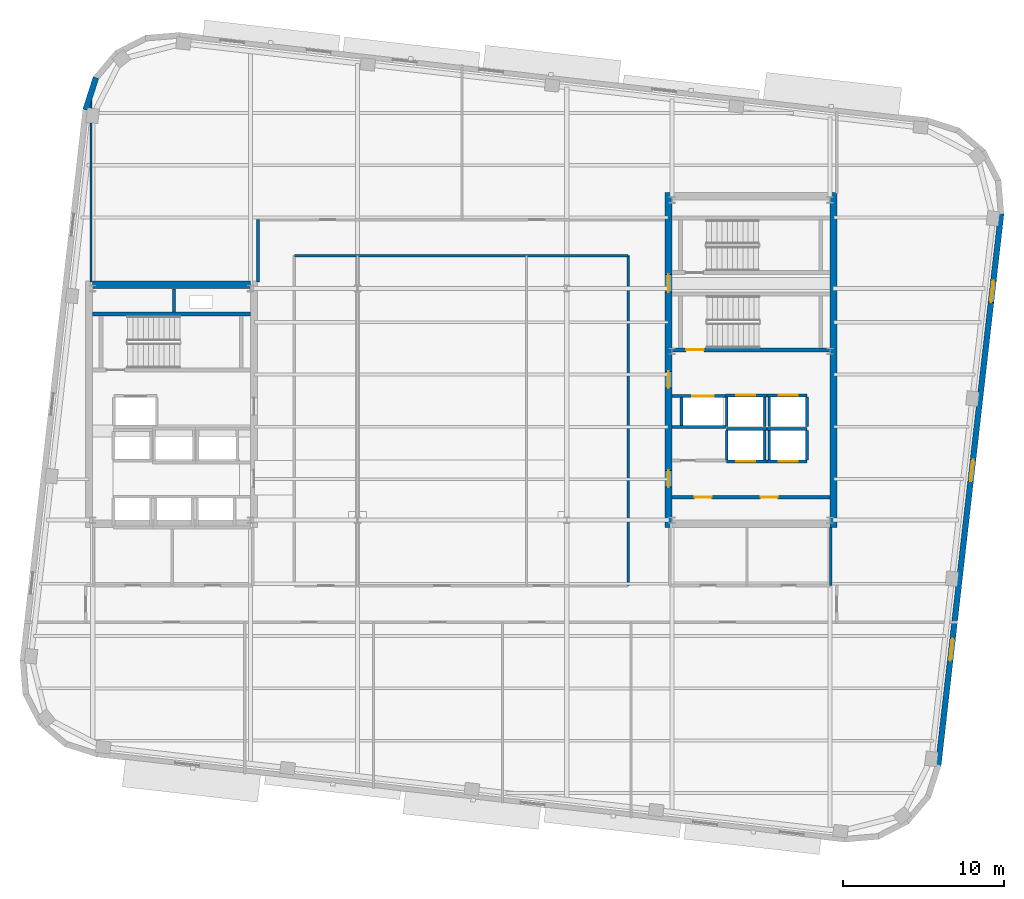
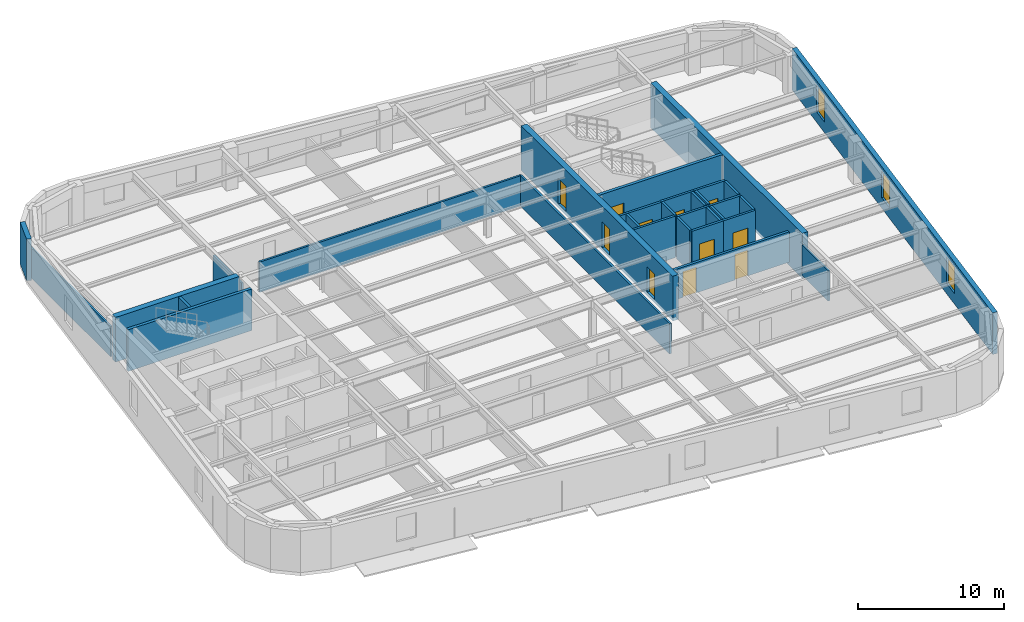
# One storey, part 7 of 12: 31 walls, 11 doors, 3 windows, 14 openings.
"""IFC4 building model written with IfcOpenShell, lengths in metres."""

from ifc_helpers import new_model, si_unit, direction, frame, frame_2d, origin, place, context, subcontext, project, spatial, rectangle, extrude, material, layer, layer_set, type_object, element, fill, save


model = new_model("IFC4")

# Units and contexts
model_context = context("Model", 3, precision=1e-05, world=origin(), true_north=direction((0.0, 1.0)))
body_context = subcontext(model_context, "Body", "Model", "MODEL_VIEW")
ifc_project = project(units=[si_unit("LENGTHUNIT", "METRE"), si_unit("AREAUNIT", "SQUARE_METRE"), si_unit("VOLUMEUNIT", "CUBIC_METRE"), si_unit("PLANEANGLEUNIT", "RADIAN"), si_unit("MASSUNIT", "GRAM", prefix="KILO")], contexts=[model_context])

# Site, building, storey
site_placement = place(None, origin())
site = spatial("IfcSite", under=ifc_project, at=site_placement, CompositionType="ELEMENT")
building_placement = place(site_placement, origin())
building = spatial("IfcBuilding", under=site, at=building_placement, Name="Kolvaren Arena Tower", CompositionType="ELEMENT")
storey_placement = place(building_placement, frame((0.0, 0.0, 220.949951171875)))
storey = spatial("IfcBuildingStorey", under=building, at=storey_placement, Name="L53", CompositionType="ELEMENT", Elevation=220.949951171875)

# Walls
ifc_material_1 = material(Name="Gypsum board acoustic assembly", Category="gypsum")
ifc_layer_1 = layer(ifc_material_1, 0.159912109375)
ifc_layer_set_1 = layer_set([ifc_layer_1], Name="Gypsum board acoustic assembly")
wall_type_1 = type_object("IfcWallType", Name="CORR-160", PredefinedType="PARTITIONING", material=ifc_layer_set_1)
wall_1_placement = place(storey_placement, frame((24.820068359375, 34.25, 0.0), z_axis=(0.0, 0.0, 1.0), x_axis=(0.0, 1.0, 0.0)))
element("IfcWall", 1, at=wall_1_placement, inside=storey, type_object=wall_type_1, Name="Interior Partition Wall (L53)", PredefinedType="PARTITIONING", context=body_context, shape_type="SweptSolid", body=[
    extrude(rectangle(XDim=3.8701171875, YDim=0.159912109375, at=frame_2d((1.93505859375, 0.0))), origin(), (0.0, 0.0, 1.0), 2.5400390625),
])
wall_2_placement = place(storey_placement, frame((27.080078125, 35.8798828125, 0.0), z_axis=(0.0, 0.0, 1.0), x_axis=(1.0, 0.0, 0.0)))
element("IfcWall", 2, at=wall_2_placement, inside=storey, type_object=wall_type_1, Name="Interior Partition Wall (L53)", PredefinedType="PARTITIONING", context=body_context, shape_type="SweptSolid", body=[
    extrude(rectangle(XDim=20.739990234375, YDim=0.159912109375, at=frame_2d((10.3701171875, 0.0))), origin(), (0.0, 0.0, 1.0), 2.5400390625),
])
wall_3_placement = place(storey_placement, frame((47.820068359375, 15.3798828125, 0.0), z_axis=(0.0, 0.0, 1.0), x_axis=(0.0, 1.0, 0.0)))
element("IfcWall", 3, at=wall_3_placement, inside=storey, type_object=wall_type_1, Name="Interior Partition Wall (L53)", PredefinedType="PARTITIONING", context=body_context, shape_type="SweptSolid", body=[
    extrude(rectangle(XDim=20.5, YDim=0.159912109375, at=frame_2d((10.25, 0.0))), origin(), (0.0, 0.0, 1.0), 2.5400390625),
])
ifc_material_2 = material(Name="Concrete 55 MPa", Category="concrete")
ifc_layer_2 = layer(ifc_material_2, 0.449951171875)
ifc_layer_set_2 = layer_set([ifc_layer_2], Name="Concrete 55 MPa")
wall_type_2 = type_object("IfcWallType", Name="CWALL-450", PredefinedType="SHEAR", material=ifc_layer_set_2)
wall_4_placement = place(storey_placement, frame((14.550048828125, 34.074951171875, -0.27001953125), z_axis=(0.0, 0.0, 1.0), x_axis=(1.0, 0.0, 0.0)))
element("IfcWall", 4, at=wall_4_placement, inside=storey, type_object=wall_type_2, Name="Core Shear Wall WC-NORTH (L53)", PredefinedType="SHEAR", context=body_context, shape_type="SweptSolid", body=[
    extrude(rectangle(XDim=9.800048828125, YDim=0.449951171875, at=frame_2d((4.89990234375, 0.0))), origin(), (0.0, 0.0, 1.0), 3.75),
])

# Wall, openings, doors
wall_5_placement = place(storey_placement, frame((50.324951171875, 19.0, -0.27001953125), z_axis=(0.0, 0.0, 1.0), x_axis=(0.0, 1.0, 0.0)))
wall_5 = element("IfcWall", 5, at=wall_5_placement, inside=storey, type_object=wall_type_2, Name="Core Shear Wall EC-WEST (L53)", PredefinedType="SHEAR", context=body_context, shape_type="SweptSolid", body=[
    extrude(rectangle(XDim=20.800048828125, YDim=0.449951171875, at=frame_2d((10.39990234375, 0.0))), origin(), (0.0, 0.0, 1.0), 3.75),
])
opening_1_placement = place(wall_5_placement, frame((2.5, 0.0, 0.27001953125)))
opening_1 = element("IfcOpeningElement", 6, at=opening_1_placement, cuts=wall_5, Name="Opening D04", PredefinedType="OPENING", context=body_context, shape_type="SweptSolid", body=[
    extrude(rectangle(XDim=1.050048828125, YDim=2.14990234375, at=frame_2d((0.52490234375, 1.074951171875))), frame((0.0, 0.23486328125, 0.0), z_axis=(0.0, -1.0, 0.0), x_axis=(1.0, 0.0, 0.0)), (0.0, 0.0, 1.0), 0.469970703125),
])
opening_2_placement = place(wall_5_placement, frame((8.64990234375, 0.0, 0.27001953125)))
opening_2 = element("IfcOpeningElement", 7, at=opening_2_placement, cuts=wall_5, Name="Opening D04", PredefinedType="OPENING", context=body_context, shape_type="SweptSolid", body=[
    extrude(rectangle(XDim=1.050048828125, YDim=2.14990234375, at=frame_2d((0.52490234375, 1.074951171875))), frame((0.0, 0.23486328125, 0.0), z_axis=(0.0, -1.0, 0.0), x_axis=(1.0, 0.0, 0.0)), (0.0, 0.0, 1.0), 0.469970703125),
])
opening_3_placement = place(wall_5_placement, frame((14.6201171875, 0.0, 0.27001953125)))
opening_3 = element("IfcOpeningElement", 8, at=opening_3_placement, cuts=wall_5, Name="Opening D03", PredefinedType="OPENING", context=body_context, shape_type="SweptSolid", body=[
    extrude(rectangle(XDim=1.10009765625, YDim=2.14990234375, at=frame_2d((0.550048828125, 1.074951171875))), frame((0.0, 0.23486328125, 0.0), z_axis=(0.0, -1.0, 0.0), x_axis=(1.0, 0.0, 0.0)), (0.0, 0.0, 1.0), 0.469970703125),
])
ifc_material_3 = material(Name="Fire-rated steel lobby door", Category="steel")
door_type_1 = type_object("IfcDoorType", Name="DOOR-FF-105", OperationType="NOTDEFINED", PredefinedType="DOOR", material=ifc_material_3)
door_1_placement = place(opening_1_placement, origin())
door_1 = element("IfcDoor", 9, at=door_1_placement, inside=storey, type_object=door_type_1, Name="East Lift Lobby Fire Door (L53)", OperationType="SINGLE_SWING_RIGHT", OverallHeight=2.14990234375, OverallWidth=1.050048828125, PredefinedType="DOOR", context=body_context, shape_type="SweptSolid", body=[
    extrude(rectangle(XDim=1.050048828125, YDim=2.14990234375, at=frame_2d((0.52490234375, 1.074951171875))), frame((0.0, 0.02490234375, 0.0), z_axis=(0.0, -1.0, 0.0), x_axis=(1.0, 0.0, 0.0)), (0.0, 0.0, 1.0), 0.050048828125),
])
fill(opening_1, door_1)
door_2_placement = place(opening_2_placement, origin())
door_2 = element("IfcDoor", 10, at=door_2_placement, inside=storey, type_object=door_type_1, Name="East Firefighter Vestibule Door (L53)", OperationType="SINGLE_SWING_LEFT", OverallHeight=2.14990234375, OverallWidth=1.050048828125, PredefinedType="DOOR", context=body_context, shape_type="SweptSolid", body=[
    extrude(rectangle(XDim=1.050048828125, YDim=2.14990234375, at=frame_2d((0.52490234375, 1.074951171875))), frame((0.0, 0.02490234375, 0.0), z_axis=(0.0, -1.0, 0.0), x_axis=(1.0, 0.0, 0.0)), (0.0, 0.0, 1.0), 0.050048828125),
])
fill(opening_2, door_2)
ifc_material_4 = material(Name="Fire-rated steel exit stair door", Category="steel")
door_type_2 = type_object("IfcDoorType", Name="DOOR-ST-110", OperationType="NOTDEFINED", PredefinedType="DOOR", material=ifc_material_4)
door_3_placement = place(opening_3_placement, origin())
door_3 = element("IfcDoor", 11, at=door_3_placement, inside=storey, type_object=door_type_2, Name="Stair ST-E2 Vestibule Fire Door (L53)", OperationType="SINGLE_SWING_LEFT", OverallHeight=2.14990234375, OverallWidth=1.10009765625, PredefinedType="DOOR", context=body_context, shape_type="SweptSolid", body=[
    extrude(rectangle(XDim=1.10009765625, YDim=2.14990234375, at=frame_2d((0.550048828125, 1.074951171875))), frame((0.0, 0.02490234375, 0.0), z_axis=(0.0, -1.0, 0.0), x_axis=(1.0, 0.0, 0.0)), (0.0, 0.0, 1.0), 0.050048828125),
])
fill(opening_3, door_3)

# Wall
wall_6_placement = place(storey_placement, frame((60.574951171875, 19.0, -0.27001953125), z_axis=(0.0, 0.0, 1.0), x_axis=(0.0, 1.0, 0.0)))
element("IfcWall", 12, at=wall_6_placement, inside=storey, type_object=wall_type_2, Name="Core Shear Wall EC-EAST (L53)", PredefinedType="SHEAR", context=body_context, shape_type="SweptSolid", body=[
    extrude(rectangle(XDim=20.800048828125, YDim=0.449951171875, at=frame_2d((10.39990234375, 0.0))), origin(), (0.0, 0.0, 1.0), 3.75),
])

# Wall, openings, windows
ifc_material_5 = material(Name="Precast concrete C50/60", Category="concrete")
ifc_layer_3 = layer(ifc_material_5, 0.360107421875)
ifc_layer_set_3 = layer_set([ifc_layer_3], Name="Precast concrete C50/60")
wall_type_3 = type_object("IfcWallType", Name="EXT-PIER2", PredefinedType="SOLIDWALL", material=ifc_layer_set_3)
wall_7_placement = place(storey_placement, frame((70.98876953125, 38.499267578125, 0.0), z_axis=(0.0, 0.0, 1.0), x_axis=(-0.113203107947, -0.993571867733, 0.0)))
wall_7 = element("IfcWall", 13, at=wall_7_placement, inside=storey, type_object=wall_type_3, Name="Exterior Precast Masonry-Frame Wall (L53)", PredefinedType="SOLIDWALL", context=body_context, shape_type="SweptSolid", body=[
    extrude(rectangle(XDim=34.5, YDim=0.360107421875, at=frame_2d((17.25, 0.0))), origin(), (0.0, 0.0, 1.0), 3.47998046875),
])
opening_4_placement = place(wall_7_placement, frame((4.199951171875, 0.0, 0.8798828125)))
opening_4 = element("IfcOpeningElement", 14, at=opening_4_placement, cuts=wall_7, Name="Opening W04", PredefinedType="OPENING", context=body_context, shape_type="SweptSolid", body=[
    extrude(rectangle(XDim=1.35009765625, YDim=2.199951171875, at=frame_2d((0.675048828125, 1.10009765625))), frame((0.0, 0.18994140625, 0.0), z_axis=(0.0, -1.0, 0.0), x_axis=(1.0, 0.0, 0.0)), (0.0, 0.0, 1.0), 0.380126953125),
])
opening_5_placement = place(wall_7_placement, frame((15.39990234375, 0.0, 0.8798828125)))
opening_5 = element("IfcOpeningElement", 15, at=opening_5_placement, cuts=wall_7, Name="Opening W04", PredefinedType="OPENING", context=body_context, shape_type="SweptSolid", body=[
    extrude(rectangle(XDim=1.35009765625, YDim=2.199951171875, at=frame_2d((0.675048828125, 1.10009765625))), frame((0.0, 0.18994140625, 0.0), z_axis=(0.0, -1.0, 0.0), x_axis=(1.0, 0.0, 0.0)), (0.0, 0.0, 1.0), 0.380126953125),
])
opening_6_placement = place(wall_7_placement, frame((26.60009765625, 0.0, 0.8798828125)))
opening_6 = element("IfcOpeningElement", 16, at=opening_6_placement, cuts=wall_7, Name="Opening W04", PredefinedType="OPENING", context=body_context, shape_type="SweptSolid", body=[
    extrude(rectangle(XDim=1.35009765625, YDim=2.199951171875, at=frame_2d((0.675048828125, 1.10009765625))), frame((0.0, 0.18994140625, 0.0), z_axis=(0.0, -1.0, 0.0), x_axis=(1.0, 0.0, 0.0)), (0.0, 0.0, 1.0), 0.380126953125),
])
ifc_material_6 = material(Name="Triple-glazed curved-facet corner window", Category="glass")
window_type = type_object("IfcWindowType", Name="WIN-CRN-A", PartitioningType="SINGLE_PANEL", PredefinedType="WINDOW", material=ifc_material_6)
window_1_placement = place(opening_4_placement, origin())
window_1 = element("IfcWindow", 17, at=window_1_placement, inside=storey, type_object=window_type, Name="End-Wall Punched Window (L53)", OverallHeight=2.199951171875, OverallWidth=1.35009765625, PartitioningType="SINGLE_PANEL", PredefinedType="WINDOW", context=body_context, shape_type="SweptSolid", body=[
    extrude(rectangle(XDim=1.35009765625, YDim=2.199951171875, at=frame_2d((0.675048828125, 1.10009765625))), frame((0.0, 0.030029296875, 0.0), z_axis=(0.0, -1.0, 0.0), x_axis=(1.0, 0.0, 0.0)), (0.0, 0.0, 1.0), 0.06005859375),
])
fill(opening_4, window_1)
window_2_placement = place(opening_5_placement, origin())
window_2 = element("IfcWindow", 18, at=window_2_placement, inside=storey, type_object=window_type, Name="End-Wall Punched Window (L53)", OverallHeight=2.199951171875, OverallWidth=1.35009765625, PartitioningType="SINGLE_PANEL", PredefinedType="WINDOW", context=body_context, shape_type="SweptSolid", body=[
    extrude(rectangle(XDim=1.35009765625, YDim=2.199951171875, at=frame_2d((0.675048828125, 1.10009765625))), frame((0.0, 0.030029296875, 0.0), z_axis=(0.0, -1.0, 0.0), x_axis=(1.0, 0.0, 0.0)), (0.0, 0.0, 1.0), 0.06005859375),
])
fill(opening_5, window_2)
window_3_placement = place(opening_6_placement, origin())
window_3 = element("IfcWindow", 19, at=window_3_placement, inside=storey, type_object=window_type, Name="End-Wall Punched Window (L53)", OverallHeight=2.199951171875, OverallWidth=1.35009765625, PartitioningType="SINGLE_PANEL", PredefinedType="WINDOW", context=body_context, shape_type="SweptSolid", body=[
    extrude(rectangle(XDim=1.35009765625, YDim=2.199951171875, at=frame_2d((0.675048828125, 1.10009765625))), frame((0.0, 0.030029296875, 0.0), z_axis=(0.0, -1.0, 0.0), x_axis=(1.0, 0.0, 0.0)), (0.0, 0.0, 1.0), 0.06005859375),
])
fill(opening_6, window_3)

# Wall
wall_8_placement = place(storey_placement, frame((14.109375, 44.944580078125, 0.0), z_axis=(0.0, 0.0, 1.0), x_axis=(0.304872429864, 0.952393196904, 0.0)))
element("IfcWall", 20, at=wall_8_placement, inside=storey, type_object=wall_type_3, Name="Exterior Precast Masonry-Frame Wall (L53)", PredefinedType="SOLIDWALL", context=body_context, shape_type="SweptSolid", body=[
    extrude(rectangle(XDim=2.10693359375, YDim=0.360107421875, at=frame_2d((1.053466796875, 0.0))), origin(), (0.0, 0.0, 1.0), 3.47998046875),
])

# Wall, openings, doors
ifc_material_7 = material(Name="Concrete 40 MPa", Category="concrete")
ifc_layer_4 = layer(ifc_material_7, 0.199951171875)
ifc_layer_set_4 = layer_set([ifc_layer_4], Name="Concrete 40 MPa")
wall_type_4 = type_object("IfcWallType", Name="LOBBY-200", PredefinedType="SOLIDWALL", material=ifc_layer_set_4)
wall_9_placement = place(storey_placement, frame((50.550048828125, 20.8798828125, 0.0), z_axis=(0.0, 0.0, 1.0), x_axis=(1.0, 0.0, 0.0)))
wall_9 = element("IfcWall", 21, at=wall_9_placement, inside=storey, type_object=wall_type_4, Name="Core Shaft Wall (L53)", PredefinedType="SOLIDWALL", context=body_context, shape_type="SweptSolid", body=[
    extrude(rectangle(XDim=9.800048828125, YDim=0.199951171875, at=frame_2d((4.89990234375, 0.0))), origin(), (0.0, 0.0, 1.0), 2.5400390625),
])
opening_7_placement = place(wall_9_placement, frame((1.39990234375, 0.0, 0.0)))
opening_7 = element("IfcOpeningElement", 22, at=opening_7_placement, cuts=wall_9, Name="Opening D04", PredefinedType="OPENING", context=body_context, shape_type="SweptSolid", body=[
    extrude(rectangle(XDim=1.050048828125, YDim=2.14990234375, at=frame_2d((0.52490234375, 1.074951171875))), frame((0.0, 0.10986328125, 0.0), z_axis=(0.0, -1.0, 0.0), x_axis=(1.0, 0.0, 0.0)), (0.0, 0.0, 1.0), 0.219970703125),
])
opening_8_placement = place(wall_9_placement, frame((5.5, 0.0, 0.0)))
opening_8 = element("IfcOpeningElement", 23, at=opening_8_placement, cuts=wall_9, Name="Opening D04", PredefinedType="OPENING", context=body_context, shape_type="SweptSolid", body=[
    extrude(rectangle(XDim=1.050048828125, YDim=2.14990234375, at=frame_2d((0.52490234375, 1.074951171875))), frame((0.0, 0.10986328125, 0.0), z_axis=(0.0, -1.0, 0.0), x_axis=(1.0, 0.0, 0.0)), (0.0, 0.0, 1.0), 0.219970703125),
])
door_4_placement = place(opening_7_placement, origin())
door_4 = element("IfcDoor", 24, at=door_4_placement, inside=storey, type_object=door_type_1, Name="East Telecom Room Fire Door (L53)", OperationType="SINGLE_SWING_RIGHT", OverallHeight=2.14990234375, OverallWidth=1.050048828125, PredefinedType="DOOR", context=body_context, shape_type="SweptSolid", body=[
    extrude(rectangle(XDim=1.050048828125, YDim=2.14990234375, at=frame_2d((0.52490234375, 1.074951171875))), frame((0.0, 0.02490234375, 0.0), z_axis=(0.0, -1.0, 0.0), x_axis=(1.0, 0.0, 0.0)), (0.0, 0.0, 1.0), 0.050048828125),
])
fill(opening_7, door_4)
door_5_placement = place(opening_8_placement, origin())
door_5 = element("IfcDoor", 25, at=door_5_placement, inside=storey, type_object=door_type_1, Name="East Records Room Fire Door (L53)", OperationType="SINGLE_SWING_LEFT", OverallHeight=2.14990234375, OverallWidth=1.050048828125, PredefinedType="DOOR", context=body_context, shape_type="SweptSolid", body=[
    extrude(rectangle(XDim=1.050048828125, YDim=2.14990234375, at=frame_2d((0.52490234375, 1.074951171875))), frame((0.0, 0.02490234375, 0.0), z_axis=(0.0, -1.0, 0.0), x_axis=(1.0, 0.0, 0.0)), (0.0, 0.0, 1.0), 0.050048828125),
])
fill(opening_8, door_5)

# Walls
ifc_material_8 = material(Name="Gypsum board partition assembly", Category="gypsum")
ifc_layer_5 = layer(ifc_material_8, 0.135009765625)
ifc_layer_set_5 = layer_set([ifc_layer_5], Name="Gypsum board partition assembly")
wall_type_5 = type_object("IfcWallType", Name="PART-135", PredefinedType="PARTITIONING", material=ifc_layer_set_5)
wall_10_placement = place(storey_placement, frame((14.449951171875, 34.25, 0.0), z_axis=(0.0, 0.0, 1.0), x_axis=(0.0, 1.0, 0.0)))
element("IfcWall", 26, at=wall_10_placement, inside=storey, type_object=wall_type_5, Name="Interior Partition Wall (L53)", PredefinedType="PARTITIONING", context=body_context, shape_type="SweptSolid", body=[
    extrude(rectangle(XDim=11.56201171875, YDim=0.135009765625, at=frame_2d((5.781005859375, 0.0))), origin(), (0.0, 0.0, 1.0), 2.5400390625),
])
ifc_material_9 = material(Name="Concrete 45 MPa", Category="concrete")
ifc_layer_6 = layer(ifc_material_9, 0.25)
ifc_layer_set_6 = layer_set([ifc_layer_6], Name="Concrete 45 MPa")
wall_type_6 = type_object("IfcWallType", Name="SHAFT-250", PredefinedType="SOLIDWALL", material=ifc_layer_set_6)
wall_11_placement = place(storey_placement, frame((14.550048828125, 32.25, 0.0), z_axis=(0.0, 0.0, 1.0), x_axis=(1.0, 0.0, 0.0)))
element("IfcWall", 27, at=wall_11_placement, inside=storey, type_object=wall_type_6, Name="Core Shaft Wall (L53)", PredefinedType="SOLIDWALL", context=body_context, shape_type="SweptSolid", body=[
    extrude(rectangle(XDim=9.800048828125, YDim=0.239990234375, at=frame_2d((4.89990234375, 0.0))), origin(), (0.0, 0.0, 1.0), 3.47998046875),
])

# Wall, opening, door
wall_12_placement = place(storey_placement, frame((60.35009765625, 30.030029296875, 0.0), z_axis=(0.0, 0.0, 1.0), x_axis=(-1.0, 0.0, 0.0)))
wall_12 = element("IfcWall", 28, at=wall_12_placement, inside=storey, type_object=wall_type_6, Name="Core Shaft Wall (L53)", PredefinedType="SOLIDWALL", context=body_context, shape_type="SweptSolid", body=[
    extrude(rectangle(XDim=9.800048828125, YDim=0.239990234375, at=frame_2d((4.89990234375, 0.0))), origin(), (0.0, 0.0, 1.0), 3.47998046875),
])
opening_9_placement = place(wall_12_placement, frame((7.830078125, 0.0, 0.0)))
opening_9 = element("IfcOpeningElement", 29, at=opening_9_placement, cuts=wall_12, Name="Opening D03", PredefinedType="OPENING", context=body_context, shape_type="SweptSolid", body=[
    extrude(rectangle(XDim=1.10009765625, YDim=2.14990234375, at=frame_2d((0.550048828125, 1.074951171875))), frame((0.0, 0.1298828125, 0.0), z_axis=(0.0, -1.0, 0.0), x_axis=(1.0, 0.0, 0.0)), (0.0, 0.0, 1.0), 0.260009765625),
])
door_6_placement = place(opening_9_placement, origin())
door_6 = element("IfcDoor", 30, at=door_6_placement, inside=storey, type_object=door_type_2, Name="Stair ST-E1 Fire Door (L53)", OperationType="SINGLE_SWING_LEFT", OverallHeight=2.14990234375, OverallWidth=1.10009765625, PredefinedType="DOOR", context=body_context, shape_type="SweptSolid", body=[
    extrude(rectangle(XDim=1.10009765625, YDim=2.14990234375, at=frame_2d((0.550048828125, 1.074951171875))), frame((0.0, 0.02490234375, 0.0), z_axis=(0.0, -1.0, 0.0), x_axis=(1.0, 0.0, 0.0)), (0.0, 0.0, 1.0), 0.050048828125),
])
fill(opening_9, door_6)

# Walls
wall_13_placement = place(storey_placement, frame((19.60009765625, 32.3701171875, 0.0), z_axis=(0.0, 0.0, 1.0), x_axis=(0.0, 1.0, 0.0)))
element("IfcWall", 31, at=wall_13_placement, inside=storey, type_object=wall_type_6, Name="Core Shaft Wall (L53)", PredefinedType="SOLIDWALL", context=body_context, shape_type="SweptSolid", body=[
    extrude(rectangle(XDim=1.429931640625, YDim=0.199951171875, at=frame_2d((0.71484375, 0.0))), origin(), (0.0, 0.0, 1.0), 3.47998046875),
])
wall_14_placement = place(storey_placement, frame((53.93994140625, 25.10498046875, 0.0), z_axis=(0.0, 0.0, 1.0), x_axis=(1.0, 0.0, 0.0)))
element("IfcWall", 32, at=wall_14_placement, inside=storey, type_object=wall_type_6, Name="Core Shaft Wall (L53)", PredefinedType="SOLIDWALL", context=body_context, shape_type="SweptSolid", body=[
    extrude(rectangle(XDim=2.5, YDim=0.179931640625, at=frame_2d((1.25, 0.0))), origin(), (0.0, 0.0, 1.0), 3.47998046875),
])

# Wall, opening, door
wall_15_placement = place(storey_placement, frame((53.93994140625, 23.094970703125, 0.0), z_axis=(0.0, 0.0, 1.0), x_axis=(1.0, 0.0, 0.0)))
wall_15 = element("IfcWall", 33, at=wall_15_placement, inside=storey, type_object=wall_type_6, Name="Core Shaft Wall (L53)", PredefinedType="SOLIDWALL", context=body_context, shape_type="SweptSolid", body=[
    extrude(rectangle(XDim=2.5, YDim=0.179931640625, at=frame_2d((1.25, 0.0))), origin(), (0.0, 0.0, 1.0), 3.47998046875),
])
opening_10_placement = place(wall_15_placement, frame((0.580078125, 0.0, 0.0)))
opening_10 = element("IfcOpeningElement", 34, at=opening_10_placement, cuts=wall_15, Name="Opening LD1", PredefinedType="OPENING", context=body_context, shape_type="SweptSolid", body=[
    extrude(rectangle(XDim=1.199951171875, YDim=2.199951171875, at=frame_2d((0.60009765625, 1.10009765625))), frame((0.0, 0.099853515625, 0.0), z_axis=(0.0, -1.0, 0.0), x_axis=(1.0, 0.0, 0.0)), (0.0, 0.0, 1.0), 0.199951171875),
])
ifc_material_10 = material(Name="Stainless steel passenger lift landing door", Category="steel")
door_type_3 = type_object("IfcDoorType", Name="DOOR-LD-120", OperationType="DOUBLE_DOOR_SLIDING", PredefinedType="DOOR", material=ifc_material_10)
door_7_placement = place(opening_10_placement, origin())
door_7 = element("IfcDoor", 35, at=door_7_placement, inside=storey, type_object=door_type_3, Name="Lift EL-HR1 Landing Door (L53)", OperationType="DOUBLE_DOOR_SLIDING", OverallHeight=2.199951171875, OverallWidth=1.199951171875, PredefinedType="DOOR", context=body_context, shape_type="SweptSolid", body=[
    extrude(rectangle(XDim=1.199951171875, YDim=2.199951171875, at=frame_2d((0.60009765625, 1.10009765625))), frame((0.0, 0.02490234375, 0.0), z_axis=(0.0, -1.0, 0.0), x_axis=(1.0, 0.0, 0.0)), (0.0, 0.0, 1.0), 0.050048828125),
])
fill(opening_10, door_7)

# Walls
for number, where, z_axis, x_axis, name in (
    (36, (53.93994140625, 23.18505859375, 0.0), (0.0, 0.0, 1.0), (0.0, 1.0, 0.0), "Core Shaft Wall (L53)"),
    (37, (56.300048828125, 23.18505859375, 0.0), (0.0, 0.0, 1.0), (0.0, 1.0, 0.0), "Core Shaft Wall (L53)"),
):
    element("IfcWall", number, at=place(storey_placement, frame(where, z_axis=z_axis, x_axis=x_axis)), inside=storey, type_object=wall_type_6, Name=name, PredefinedType="SOLIDWALL", context=body_context, shape_type="SweptSolid", body=[
        extrude(rectangle(XDim=1.829833984375, YDim=0.179931640625, at=frame_2d((0.9150390625, 0.0))), origin(), (0.0, 0.0, 1.0), 3.47998046875),
    ])
wall_16_placement = place(storey_placement, frame((56.43994140625, 25.10498046875, 0.0), z_axis=(0.0, 0.0, 1.0), x_axis=(1.0, 0.0, 0.0)))
element("IfcWall", 38, at=wall_16_placement, inside=storey, type_object=wall_type_6, Name="Core Shaft Wall (L53)", PredefinedType="SOLIDWALL", context=body_context, shape_type="SweptSolid", body=[
    extrude(rectangle(XDim=2.5, YDim=0.179931640625, at=frame_2d((1.25, 0.0))), origin(), (0.0, 0.0, 1.0), 3.47998046875),
])

# Wall, opening, door
wall_17_placement = place(storey_placement, frame((56.43994140625, 23.094970703125, 0.0), z_axis=(0.0, 0.0, 1.0), x_axis=(1.0, 0.0, 0.0)))
wall_17 = element("IfcWall", 39, at=wall_17_placement, inside=storey, type_object=wall_type_6, Name="Core Shaft Wall (L53)", PredefinedType="SOLIDWALL", context=body_context, shape_type="SweptSolid", body=[
    extrude(rectangle(XDim=2.5, YDim=0.179931640625, at=frame_2d((1.25, 0.0))), origin(), (0.0, 0.0, 1.0), 3.47998046875),
])
opening_11_placement = place(wall_17_placement, frame((0.719970703125, 0.0, 0.0)))
opening_11 = element("IfcOpeningElement", 40, at=opening_11_placement, cuts=wall_17, Name="Opening LD1", PredefinedType="OPENING", context=body_context, shape_type="SweptSolid", body=[
    extrude(rectangle(XDim=1.199951171875, YDim=2.199951171875, at=frame_2d((0.60009765625, 1.10009765625))), frame((0.0, 0.099853515625, 0.0), z_axis=(0.0, -1.0, 0.0), x_axis=(1.0, 0.0, 0.0)), (0.0, 0.0, 1.0), 0.199951171875),
])
door_8_placement = place(opening_11_placement, origin())
door_8 = element("IfcDoor", 41, at=door_8_placement, inside=storey, type_object=door_type_3, Name="Lift EL-HR2 Landing Door (L53)", OperationType="DOUBLE_DOOR_SLIDING", OverallHeight=2.199951171875, OverallWidth=1.199951171875, PredefinedType="DOOR", context=body_context, shape_type="SweptSolid", body=[
    extrude(rectangle(XDim=1.199951171875, YDim=2.199951171875, at=frame_2d((0.60009765625, 1.10009765625))), frame((0.0, 0.02490234375, 0.0), z_axis=(0.0, -1.0, 0.0), x_axis=(1.0, 0.0, 0.0)), (0.0, 0.0, 1.0), 0.050048828125),
])
fill(opening_11, door_8)

# Walls
for number, where, z_axis, x_axis, name in (
    (42, (56.580078125, 23.18505859375, 0.0), (0.0, 0.0, 1.0), (0.0, 1.0, 0.0), "Core Shaft Wall (L53)"),
    (43, (58.93994140625, 23.18505859375, 0.0), (0.0, 0.0, 1.0), (0.0, 1.0, 0.0), "Core Shaft Wall (L53)"),
):
    element("IfcWall", number, at=place(storey_placement, frame(where, z_axis=z_axis, x_axis=x_axis)), inside=storey, type_object=wall_type_6, Name=name, PredefinedType="SOLIDWALL", context=body_context, shape_type="SweptSolid", body=[
        extrude(rectangle(XDim=1.829833984375, YDim=0.179931640625, at=frame_2d((0.9150390625, 0.0))), origin(), (0.0, 0.0, 1.0), 3.47998046875),
    ])

# Wall, opening, door
wall_18_placement = place(storey_placement, frame((53.864990234375, 27.205078125, 0.0), z_axis=(0.0, 0.0, 1.0), x_axis=(1.0, 0.0, 0.0)))
wall_18 = element("IfcWall", 44, at=wall_18_placement, inside=storey, type_object=wall_type_6, Name="Core Shaft Wall (L53)", PredefinedType="SOLIDWALL", context=body_context, shape_type="SweptSolid", body=[
    extrude(rectangle(XDim=2.574951171875, YDim=0.179931640625, at=frame_2d((1.28759765625, 0.0))), origin(), (0.0, 0.0, 1.0), 3.47998046875),
])
opening_12_placement = place(wall_18_placement, frame((0.655029296875, 0.0, 0.0)))
opening_12 = element("IfcOpeningElement", 45, at=opening_12_placement, cuts=wall_18, Name="Opening LD1", PredefinedType="OPENING", context=body_context, shape_type="SweptSolid", body=[
    extrude(rectangle(XDim=1.199951171875, YDim=2.199951171875, at=frame_2d((0.60009765625, 1.10009765625))), frame((0.0, 0.099853515625, 0.0), z_axis=(0.0, -1.0, 0.0), x_axis=(1.0, 0.0, 0.0)), (0.0, 0.0, 1.0), 0.199951171875),
])
door_9_placement = place(opening_12_placement, origin())
door_9 = element("IfcDoor", 46, at=door_9_placement, inside=storey, type_object=door_type_3, Name="Lift EL-HR3 Landing Door (L53)", OperationType="DOUBLE_DOOR_SLIDING", OverallHeight=2.199951171875, OverallWidth=1.199951171875, PredefinedType="DOOR", context=body_context, shape_type="SweptSolid", body=[
    extrude(rectangle(XDim=1.199951171875, YDim=2.199951171875, at=frame_2d((0.60009765625, 1.10009765625))), frame((0.0, 0.02490234375, 0.0), z_axis=(0.0, -1.0, 0.0), x_axis=(1.0, 0.0, 0.0)), (0.0, 0.0, 1.0), 0.050048828125),
])
fill(opening_12, door_9)

# Walls
for number, where, z_axis, x_axis, name in (
    (47, (53.93994140625, 25.284912109375, 0.0), (0.0, 0.0, 1.0), (0.0, 1.0, 0.0), "Core Shaft Wall (L53)"),
    (48, (56.300048828125, 25.284912109375, 0.0), (0.0, 0.0, 1.0), (0.0, 1.0, 0.0), "Core Shaft Wall (L53)"),
):
    element("IfcWall", number, at=place(storey_placement, frame(where, z_axis=z_axis, x_axis=x_axis)), inside=storey, type_object=wall_type_6, Name=name, PredefinedType="SOLIDWALL", context=body_context, shape_type="SweptSolid", body=[
        extrude(rectangle(XDim=1.830078125, YDim=0.179931640625, at=frame_2d((0.9150390625, 0.0))), origin(), (0.0, 0.0, 1.0), 3.47998046875),
    ])

# Wall, opening, door
wall_19_placement = place(storey_placement, frame((56.43994140625, 27.205078125, 0.0), z_axis=(0.0, 0.0, 1.0), x_axis=(1.0, 0.0, 0.0)))
wall_19 = element("IfcWall", 49, at=wall_19_placement, inside=storey, type_object=wall_type_6, Name="Core Shaft Wall (L53)", PredefinedType="SOLIDWALL", context=body_context, shape_type="SweptSolid", body=[
    extrude(rectangle(XDim=2.5, YDim=0.179931640625, at=frame_2d((1.25, 0.0))), origin(), (0.0, 0.0, 1.0), 3.47998046875),
])
opening_13_placement = place(wall_19_placement, frame((0.719970703125, 0.0, 0.0)))
opening_13 = element("IfcOpeningElement", 50, at=opening_13_placement, cuts=wall_19, Name="Opening LD1", PredefinedType="OPENING", context=body_context, shape_type="SweptSolid", body=[
    extrude(rectangle(XDim=1.199951171875, YDim=2.199951171875, at=frame_2d((0.60009765625, 1.10009765625))), frame((0.0, 0.099853515625, 0.0), z_axis=(0.0, -1.0, 0.0), x_axis=(1.0, 0.0, 0.0)), (0.0, 0.0, 1.0), 0.199951171875),
])
door_10_placement = place(opening_13_placement, origin())
door_10 = element("IfcDoor", 51, at=door_10_placement, inside=storey, type_object=door_type_3, Name="Lift EL-HR4 Landing Door (L53)", OperationType="DOUBLE_DOOR_SLIDING", OverallHeight=2.199951171875, OverallWidth=1.199951171875, PredefinedType="DOOR", context=body_context, shape_type="SweptSolid", body=[
    extrude(rectangle(XDim=1.199951171875, YDim=2.199951171875, at=frame_2d((0.60009765625, 1.10009765625))), frame((0.0, 0.02490234375, 0.0), z_axis=(0.0, -1.0, 0.0), x_axis=(1.0, 0.0, 0.0)), (0.0, 0.0, 1.0), 0.050048828125),
])
fill(opening_13, door_10)

# Walls
for number, where, z_axis, x_axis, name in (
    (52, (56.580078125, 25.284912109375, 0.0), (0.0, 0.0, 1.0), (0.0, 1.0, 0.0), "Core Shaft Wall (L53)"),
    (53, (58.93994140625, 25.284912109375, 0.0), (0.0, 0.0, 1.0), (0.0, 1.0, 0.0), "Core Shaft Wall (L53)"),
):
    element("IfcWall", number, at=place(storey_placement, frame(where, z_axis=z_axis, x_axis=x_axis)), inside=storey, type_object=wall_type_6, Name=name, PredefinedType="SOLIDWALL", context=body_context, shape_type="SweptSolid", body=[
        extrude(rectangle(XDim=1.830078125, YDim=0.179931640625, at=frame_2d((0.9150390625, 0.0))), origin(), (0.0, 0.0, 1.0), 3.47998046875),
    ])

# Wall, opening, door
wall_20_placement = place(storey_placement, frame((50.550048828125, 27.155029296875, 0.0), z_axis=(0.0, 0.0, 1.0), x_axis=(1.0, 0.0, 0.0)))
wall_20 = element("IfcWall", 54, at=wall_20_placement, inside=storey, type_object=wall_type_6, Name="Core Shaft Wall (L53)", PredefinedType="SOLIDWALL", context=body_context, shape_type="SweptSolid", body=[
    extrude(rectangle(XDim=3.31494140625, YDim=0.179931640625, at=frame_2d((1.657470703125, 0.0))), origin(), (0.0, 0.0, 1.0), 3.47998046875),
])
opening_14_placement = place(wall_20_placement, frame((1.235107421875, 0.0, 0.0)))
opening_14 = element("IfcOpeningElement", 55, at=opening_14_placement, cuts=wall_20, Name="Opening LD2", PredefinedType="OPENING", context=body_context, shape_type="SweptSolid", body=[
    extrude(rectangle(XDim=1.35009765625, YDim=2.300048828125, at=frame_2d((0.675048828125, 1.14990234375))), frame((0.0, 0.099853515625, 0.0), z_axis=(0.0, -1.0, 0.0), x_axis=(1.0, 0.0, 0.0)), (0.0, 0.0, 1.0), 0.199951171875),
])
ifc_material_11 = material(Name="Stainless steel firefighter lift landing door", Category="steel")
door_type_4 = type_object("IfcDoorType", Name="DOOR-LD-135", OperationType="DOUBLE_DOOR_SLIDING", PredefinedType="DOOR", material=ifc_material_11)
door_11_placement = place(opening_14_placement, origin())
door_11 = element("IfcDoor", 56, at=door_11_placement, inside=storey, type_object=door_type_4, Name="Firefighter Lift FF-E1 Landing Door (L53)", OperationType="DOUBLE_DOOR_SLIDING", OverallHeight=2.300048828125, OverallWidth=1.35009765625, PredefinedType="DOOR", context=body_context, shape_type="SweptSolid", body=[
    extrude(rectangle(XDim=1.35009765625, YDim=2.300048828125, at=frame_2d((0.675048828125, 1.14990234375))), frame((0.0, 0.02490234375, 0.0), z_axis=(0.0, -1.0, 0.0), x_axis=(1.0, 0.0, 0.0)), (0.0, 0.0, 1.0), 0.050048828125),
])
fill(opening_14, door_11)

# Walls
wall_21_placement = place(storey_placement, frame((50.550048828125, 25.2451171875, 0.0), z_axis=(0.0, 0.0, 1.0), x_axis=(1.0, 0.0, 0.0)))
element("IfcWall", 57, at=wall_21_placement, inside=storey, type_object=wall_type_6, Name="Core Shaft Wall (L53)", PredefinedType="SOLIDWALL", context=body_context, shape_type="SweptSolid", body=[
    extrude(rectangle(XDim=3.31494140625, YDim=0.179931640625, at=frame_2d((1.657470703125, 0.0))), origin(), (0.0, 0.0, 1.0), 3.47998046875),
])
wall_22_placement = place(storey_placement, frame((51.1298828125, 25.3349609375, 0.0), z_axis=(0.0, 0.0, 1.0), x_axis=(0.0, 1.0, 0.0)))
element("IfcWall", 58, at=wall_22_placement, inside=storey, type_object=wall_type_6, Name="Core Shaft Wall (L53)", PredefinedType="SOLIDWALL", context=body_context, shape_type="SweptSolid", body=[
    extrude(rectangle(XDim=1.72998046875, YDim=0.179931640625, at=frame_2d((0.864990234375, 0.0))), origin(), (0.0, 0.0, 1.0), 3.47998046875),
])
ifc_material_12 = material(Name="Moisture-resistant gypsum assembly", Category="gypsum")
ifc_layer_7 = layer(ifc_material_12, 0.14990234375)
ifc_layer_set_7 = layer_set([ifc_layer_7], Name="Moisture-resistant gypsum assembly")
wall_type_7 = type_object("IfcWallType", Name="WETW-150", PredefinedType="PARTITIONING", material=ifc_layer_set_7)
wall_23_placement = place(storey_placement, frame((60.39990234375, 15.39990234375, 0.0), z_axis=(0.0, 0.0, 1.0), x_axis=(0.0, 1.0, 0.0)))
element("IfcWall", 59, at=wall_23_placement, inside=storey, type_object=wall_type_7, Name="Interior Partition Wall (L53)", PredefinedType="PARTITIONING", context=body_context, shape_type="SweptSolid", body=[
    extrude(rectangle(XDim=3.580078125, YDim=0.14990234375, at=frame_2d((1.7900390625, 0.0))), origin(), (0.0, 0.0, 1.0), 2.5400390625),
])

save(model, "model.ifc")
